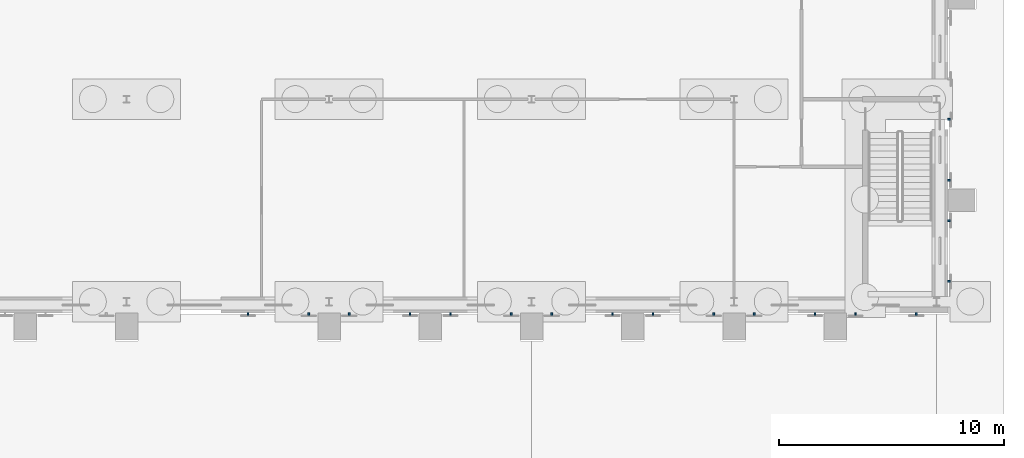
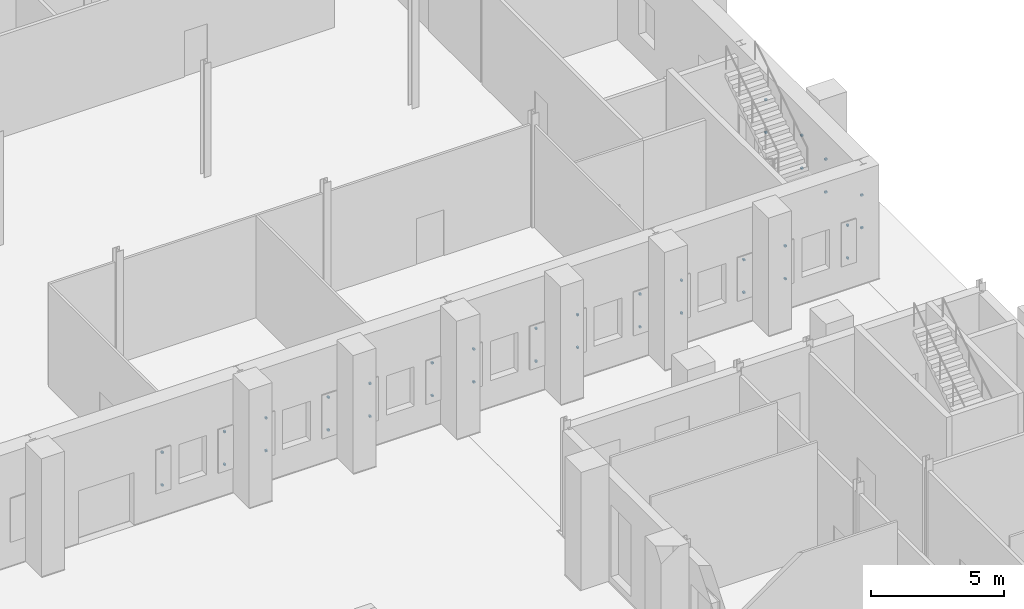
# One storey, part 121 of 168: 36 discrete accessories.
"""IFC4 building model written with IfcOpenShell, lengths in metres."""

from ifc_helpers import new_model, si_unit, direction, frame, origin, origin_2d, place, context, subcontext, project, spatial, rectangle, extrude, material, type_object, element, save


model = new_model("IFC4")

# Units and contexts
model_context = context("Model", 3, precision=1e-05, world=origin(), true_north=direction((0.0, 1.0)))
body_context = subcontext(model_context, "Body", "Model", "MODEL_VIEW")
ifc_project = project(units=[si_unit("LENGTHUNIT", "METRE"), si_unit("AREAUNIT", "SQUARE_METRE"), si_unit("VOLUMEUNIT", "CUBIC_METRE"), si_unit("PLANEANGLEUNIT", "RADIAN"), si_unit("MASSUNIT", "GRAM", prefix="KILO")], contexts=[model_context])

# Site, building, storey
site_placement = place(None, origin())
site = spatial("IfcSite", under=ifc_project, at=site_placement, CompositionType="ELEMENT")
building_placement = place(site_placement, origin())
building = spatial("IfcBuilding", under=site, at=building_placement, Name="Golden Quay Civic Hall", CompositionType="ELEMENT")
storey_placement = place(building_placement, origin())
storey = spatial("IfcBuildingStorey", under=building, at=storey_placement, Name="L00", CompositionType="ELEMENT", Elevation=0.0)

# Discrete accessories
ifc_material = material(Name="Steel S355", Category="steel")
discrete_accessory_type = type_object("IfcDiscreteAccessoryType", Name="Steel shutter bracket", PredefinedType="BRACKET", material=ifc_material)
for number, where, z_axis, x_axis, name in (
    (1, (140.39990234375, 62.449951171875, 1.409912109375), (0.0, 0.0, 1.0), (1.0, 0.0, 0.0), "Shutter bracket L00-S247a-1"),
    (2, (140.39990234375, 62.449951171875, 2.909912109375), (0.0, 0.0, 1.0), (1.0, 0.0, 0.0), "Shutter bracket L00-S247a-2"),
    (3, (143.10009765625, 62.449951171875, 1.409912109375), (0.0, 0.0, 1.0), (1.0, 0.0, 0.0), "Shutter bracket L00-S247b-1"),
    (4, (143.10009765625, 62.449951171875, 2.909912109375), (0.0, 0.0, 1.0), (1.0, 0.0, 0.0), "Shutter bracket L00-S247b-2"),
    (5, (144.89990234375, 62.449951171875, 1.409912109375), (0.0, 0.0, 1.0), (1.0, 0.0, 0.0), "Shutter bracket L00-S292a-1"),
    (6, (144.89990234375, 62.449951171875, 2.909912109375), (0.0, 0.0, 1.0), (1.0, 0.0, 0.0), "Shutter bracket L00-S292a-2"),
    (7, (147.60009765625, 62.449951171875, 1.409912109375), (0.0, 0.0, 1.0), (1.0, 0.0, 0.0), "Shutter bracket L00-S292b-1"),
    (8, (147.60009765625, 62.449951171875, 2.909912109375), (0.0, 0.0, 1.0), (1.0, 0.0, 0.0), "Shutter bracket L00-S292b-2"),
    (9, (149.39990234375, 62.449951171875, 1.409912109375), (0.0, 0.0, 1.0), (1.0, 0.0, 0.0), "Shutter bracket L00-S337a-1"),
    (10, (149.39990234375, 62.449951171875, 2.909912109375), (0.0, 0.0, 1.0), (1.0, 0.0, 0.0), "Shutter bracket L00-S337a-2"),
    (11, (152.10009765625, 62.449951171875, 1.409912109375), (0.0, 0.0, 1.0), (1.0, 0.0, 0.0), "Shutter bracket L00-S337b-1"),
    (12, (152.10009765625, 62.449951171875, 2.909912109375), (0.0, 0.0, 1.0), (1.0, 0.0, 0.0), "Shutter bracket L00-S337b-2"),
    (13, (153.89990234375, 62.449951171875, 1.409912109375), (0.0, 0.0, 1.0), (1.0, 0.0, 0.0), "Shutter bracket L00-S382a-1"),
    (14, (153.89990234375, 62.449951171875, 2.909912109375), (0.0, 0.0, 1.0), (1.0, 0.0, 0.0), "Shutter bracket L00-S382a-2"),
    (15, (156.60009765625, 62.449951171875, 1.409912109375), (0.0, 0.0, 1.0), (1.0, 0.0, 0.0), "Shutter bracket L00-S382b-1"),
    (16, (156.60009765625, 62.449951171875, 2.909912109375), (0.0, 0.0, 1.0), (1.0, 0.0, 0.0), "Shutter bracket L00-S382b-2"),
    (17, (158.39990234375, 62.449951171875, 1.409912109375), (0.0, 0.0, 1.0), (1.0, 0.0, 0.0), "Shutter bracket L00-S427a-1"),
    (18, (158.39990234375, 62.449951171875, 2.909912109375), (0.0, 0.0, 1.0), (1.0, 0.0, 0.0), "Shutter bracket L00-S427a-2"),
    (19, (161.10009765625, 62.449951171875, 1.409912109375), (0.0, 0.0, 1.0), (1.0, 0.0, 0.0), "Shutter bracket L00-S427b-1"),
    (20, (161.10009765625, 62.449951171875, 2.909912109375), (0.0, 0.0, 1.0), (1.0, 0.0, 0.0), "Shutter bracket L00-S427b-2"),
    (21, (162.89990234375, 62.449951171875, 1.409912109375), (0.0, 0.0, 1.0), (1.0, 0.0, 0.0), "Shutter bracket L00-S472a-1"),
    (22, (162.89990234375, 62.449951171875, 2.909912109375), (0.0, 0.0, 1.0), (1.0, 0.0, 0.0), "Shutter bracket L00-S472a-2"),
    (23, (165.60009765625, 62.449951171875, 1.409912109375), (0.0, 0.0, 1.0), (1.0, 0.0, 0.0), "Shutter bracket L00-S472b-1"),
    (24, (165.60009765625, 62.449951171875, 2.909912109375), (0.0, 0.0, 1.0), (1.0, 0.0, 0.0), "Shutter bracket L00-S472b-2"),
    (25, (167.39990234375, 62.449951171875, 1.409912109375), (0.0, 0.0, 1.0), (1.0, 0.0, 0.0), "Shutter bracket L00-S517a-1"),
    (26, (167.39990234375, 62.449951171875, 2.909912109375), (0.0, 0.0, 1.0), (1.0, 0.0, 0.0), "Shutter bracket L00-S517a-2"),
    (27, (170.10009765625, 62.449951171875, 1.409912109375), (0.0, 0.0, 1.0), (1.0, 0.0, 0.0), "Shutter bracket L00-S517b-1"),
    (28, (170.10009765625, 62.449951171875, 2.909912109375), (0.0, 0.0, 1.0), (1.0, 0.0, 0.0), "Shutter bracket L00-S517b-2"),
):
    element("IfcDiscreteAccessory", number, at=place(storey_placement, frame(where, z_axis=z_axis, x_axis=x_axis)), inside=storey, type_object=discrete_accessory_type, Name=name, PredefinedType="BRACKET", context=body_context, shape_type="SweptSolid", body=[
        extrude(rectangle(XDim=0.080078125, YDim=0.10009765625, at=origin_2d()), origin(), (0.0, 0.0, 1.0), 0.080078125),
    ])
for number, where, z_axis, x_axis, name in (
    (29, (171.550048828125, 63.89990234375, 1.409912109375), (0.0, 0.0, 1.0), (1.0, 0.0, 0.0), "Shutter bracket L00-E22a-1"),
    (30, (171.550048828125, 63.89990234375, 2.909912109375), (0.0, 0.0, 1.0), (1.0, 0.0, 0.0), "Shutter bracket L00-E22a-2"),
    (31, (171.550048828125, 66.60009765625, 1.409912109375), (0.0, 0.0, 1.0), (1.0, 0.0, 0.0), "Shutter bracket L00-E22b-1"),
    (32, (171.550048828125, 66.60009765625, 2.909912109375), (0.0, 0.0, 1.0), (1.0, 0.0, 0.0), "Shutter bracket L00-E22b-2"),
    (33, (171.550048828125, 68.39990234375, 1.409912109375), (0.0, 0.0, 1.0), (1.0, 0.0, 0.0), "Shutter bracket L00-E67a-1"),
    (34, (171.550048828125, 68.39990234375, 2.909912109375), (0.0, 0.0, 1.0), (1.0, 0.0, 0.0), "Shutter bracket L00-E67a-2"),
    (35, (171.550048828125, 71.10009765625, 1.409912109375), (0.0, 0.0, 1.0), (1.0, 0.0, 0.0), "Shutter bracket L00-E67b-1"),
    (36, (171.550048828125, 71.10009765625, 2.909912109375), (0.0, 0.0, 1.0), (1.0, 0.0, 0.0), "Shutter bracket L00-E67b-2"),
):
    element("IfcDiscreteAccessory", number, at=place(storey_placement, frame(where, z_axis=z_axis, x_axis=x_axis)), inside=storey, type_object=discrete_accessory_type, Name=name, PredefinedType="BRACKET", context=body_context, shape_type="SweptSolid", body=[
        extrude(rectangle(XDim=0.10009765625, YDim=0.080078125, at=origin_2d()), origin(), (0.0, 0.0, 1.0), 0.080078125),
    ])

save(model, "model.ifc")
